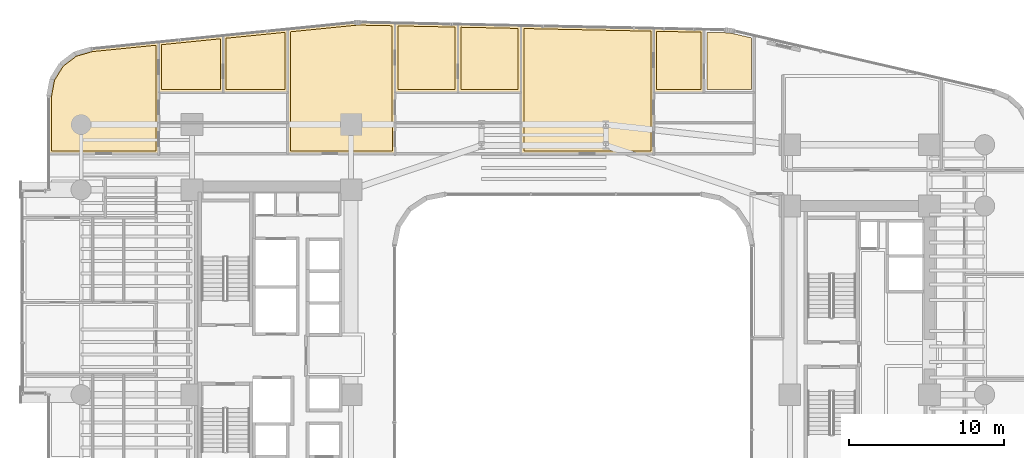
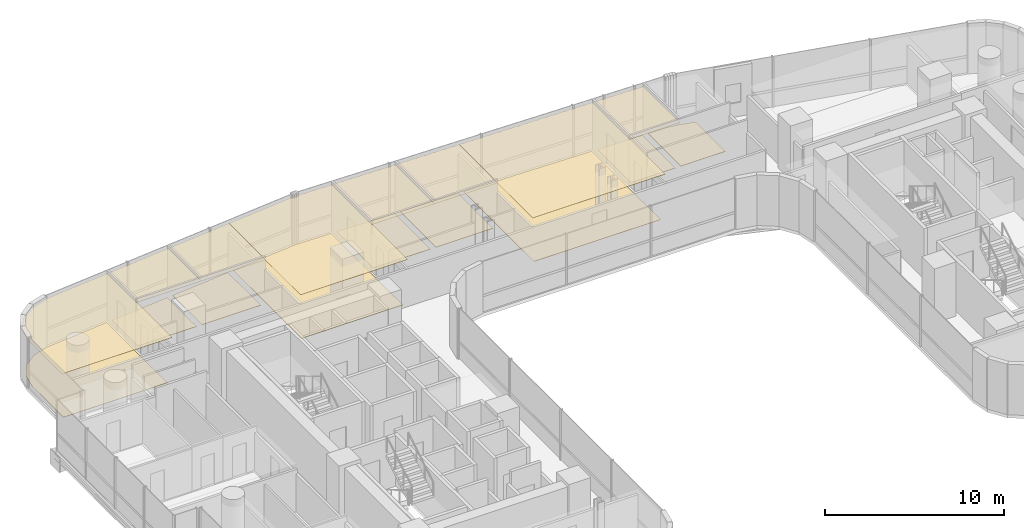
# One storey, part 39 of 40: 17 coverings.
"""IFC4 building model written with IfcOpenShell, lengths in metres."""

from ifc_helpers import new_model, si_unit, direction, frame, origin, place, context, subcontext, project, spatial, polyline, outline, extrude, material, layer, layer_set, type_object, element, save


model = new_model("IFC4")

# Units and contexts
model_context = context("Model", 3, precision=1e-05, world=origin(), true_north=direction((0.0, 1.0)))
body_context = subcontext(model_context, "Body", "Model", "MODEL_VIEW")
ifc_project = project(units=[si_unit("LENGTHUNIT", "METRE"), si_unit("AREAUNIT", "SQUARE_METRE"), si_unit("VOLUMEUNIT", "CUBIC_METRE"), si_unit("PLANEANGLEUNIT", "RADIAN"), si_unit("MASSUNIT", "GRAM", prefix="KILO")], contexts=[model_context])

# Site, building, storey
site_placement = place(None, origin())
site = spatial("IfcSite", under=ifc_project, at=site_placement, CompositionType="ELEMENT")
building_placement = place(site_placement, origin())
building = spatial("IfcBuilding", under=site, at=building_placement, Name="Valdorenza Pilgrim Sanctuary Tower", CompositionType="ELEMENT")
storey_placement = place(building_placement, frame((0.0, 0.0, 44.5)))
storey = spatial("IfcBuildingStorey", under=building, at=storey_placement, Name="L10", CompositionType="ELEMENT", Elevation=44.5)

# Coverings
ifc_material_1 = material(Name="Micro-perforated acoustic mineral ceiling tile", Category="gypsum")
ifc_layer_1 = layer(ifc_material_1, 0.02490234375, Name="Micro-perforated acoustic mineral ceiling tile")
ifc_layer_set_1 = layer_set([ifc_layer_1], Name="Micro-perforated acoustic mineral ceiling tile")
covering_type_1 = type_object("IfcCoveringType", Name="COV-CLG-ACU", PredefinedType="CEILING", material=ifc_layer_set_1)
covering_1_placement = place(storey_placement, frame((0.0, 0.0, 3.159912109375)))
element("IfcCovering", 1, at=covering_1_placement, inside=storey, type_object=covering_type_1, Name="L10 North Family Flat L10-N1 Bedroom 1 Acoustic Ceiling", PredefinedType="CEILING", context=body_context, shape_type="SweptSolid", body=[
    extrude(outline(polyline([(-24.802734375, 16.85498046875), (-24.80419921875, 16.85498046875), (-24.8056640625, 16.855224609375), (-24.80712890625, 16.855712890625), (-24.80859375, 16.856201171875), (-24.809814453125, 16.856689453125), (-24.81103515625, 16.857421875), (-24.812255859375, 16.8583984375), (-24.8134765625, 16.859375), (-24.814453125, 16.860595703125), (-24.815185546875, 16.86181640625), (-24.81591796875, 16.86279296875), (-24.816650390625, 16.8642578125), (-24.817138671875, 16.865478515625), (-24.8173828125, 16.8671875), (-24.817626953125, 16.868408203125), (-24.81787109375, 16.8701171875), (-24.81787109375, 20.109130859375), (-24.817626953125, 20.110595703125), (-24.8173828125, 20.112060546875), (-24.817138671875, 20.113525390625), (-24.816650390625, 20.114990234375), (-24.81591796875, 20.1162109375), (-24.815185546875, 20.117431640625), (-24.814453125, 20.11865234375), (-24.8134765625, 20.119873046875), (-24.812255859375, 20.120849609375), (-24.81103515625, 20.12158203125), (-24.809814453125, 20.122314453125), (-24.80859375, 20.123046875), (-24.80712890625, 20.12353515625), (-24.8056640625, 20.123779296875), (-24.80419921875, 20.1240234375), (-20.644287109375, 20.5400390625), (-20.642822265625, 20.540283203125), (-20.641357421875, 20.5400390625), (-20.639892578125, 20.539794921875), (-20.638671875, 20.53955078125), (-20.63720703125, 20.5390625), (-20.6357421875, 20.538330078125), (-20.634521484375, 20.53759765625), (-20.63330078125, 20.536865234375), (-20.63232421875, 20.535888671875), (-20.63134765625, 20.53466796875), (-20.63037109375, 20.533447265625), (-20.629638671875, 20.5322265625), (-20.62890625, 20.531005859375), (-20.62841796875, 20.529541015625), (-20.628173828125, 20.528076171875), (-20.6279296875, 20.526611328125), (-20.6279296875, 20.525146484375), (-20.6279296875, 16.8701171875), (-20.6279296875, 16.868408203125), (-20.628173828125, 16.8671875), (-20.62841796875, 16.865478515625), (-20.62890625, 16.8642578125), (-20.629638671875, 16.86279296875), (-20.63037109375, 16.86181640625), (-20.63134765625, 16.860595703125), (-20.63232421875, 16.859375), (-20.63330078125, 16.8583984375), (-20.634521484375, 16.857421875), (-20.6357421875, 16.856689453125), (-20.63720703125, 16.856201171875), (-20.638427734375, 16.855712890625), (-20.639892578125, 16.855224609375), (-20.641357421875, 16.85498046875), (-20.642822265625, 16.85498046875), (-24.802734375, 16.85498046875)])), origin(), (0.0, 0.0, 1.0), 0.025146484375),
])
covering_2_placement = place(storey_placement, frame((0.0, 0.0, 3.159912109375)))
element("IfcCovering", 2, at=covering_2_placement, inside=storey, type_object=covering_type_1, Name="L10 North Family Flat L10-N1 Bedroom 2 Acoustic Ceiling", PredefinedType="CEILING", context=body_context, shape_type="SweptSolid", body=[
    extrude(outline(polyline([(-20.656005859375, 20.525146484375), (-20.656005859375, 20.526123046875), (-20.65576171875, 20.527587890625), (-20.655517578125, 20.529296875), (-20.655029296875, 20.530517578125), (-20.654296875, 20.531982421875), (-20.653564453125, 20.533447265625), (-20.652587890625, 20.53466796875), (-20.65185546875, 20.535888671875), (-20.650634765625, 20.536865234375), (-20.6494140625, 20.53759765625), (-20.648193359375, 20.53857421875), (-20.646728515625, 20.539306640625), (-20.6455078125, 20.539794921875), (-20.643798828125, 20.5400390625), (-20.642333984375, 20.540283203125), (-16.484619140625, 20.9560546875), (-16.48291015625, 20.956298828125), (-16.4814453125, 20.9560546875), (-16.47998046875, 20.955810546875), (-16.478759765625, 20.95556640625), (-16.477294921875, 20.955078125), (-16.475830078125, 20.954345703125), (-16.474609375, 20.95361328125), (-16.473388671875, 20.952880859375), (-16.472412109375, 20.951904296875), (-16.471435546875, 20.95068359375), (-16.470458984375, 20.949462890625), (-16.4697265625, 20.9482421875), (-16.468994140625, 20.947021484375), (-16.468505859375, 20.945556640625), (-16.46826171875, 20.944091796875), (-16.468017578125, 20.942626953125), (-16.468017578125, 20.941162109375), (-16.468017578125, 16.8701171875), (-16.468017578125, 16.868408203125), (-16.46826171875, 16.8671875), (-16.468505859375, 16.865478515625), (-16.468994140625, 16.8642578125), (-16.4697265625, 16.86279296875), (-16.470458984375, 16.86181640625), (-16.471435546875, 16.860595703125), (-16.472412109375, 16.859375), (-16.473388671875, 16.8583984375), (-16.474609375, 16.857421875), (-16.475830078125, 16.856689453125), (-16.477294921875, 16.856201171875), (-16.478515625, 16.855712890625), (-16.47998046875, 16.855224609375), (-16.4814453125, 16.85498046875), (-16.48291015625, 16.85498046875), (-20.640869140625, 16.85498046875), (-20.642333984375, 16.85498046875), (-20.643798828125, 16.855224609375), (-20.645263671875, 16.855712890625), (-20.646484375, 16.856201171875), (-20.64794921875, 16.856689453125), (-20.649169921875, 16.857421875), (-20.650390625, 16.8583984375), (-20.651611328125, 16.859375), (-20.652587890625, 16.860595703125), (-20.6533203125, 16.86181640625), (-20.654052734375, 16.86279296875), (-20.65478515625, 16.8642578125), (-20.6552734375, 16.865478515625), (-20.655517578125, 16.8671875), (-20.65576171875, 16.868408203125), (-20.656005859375, 16.8701171875), (-20.656005859375, 20.525146484375), (-20.656005859375, 20.525146484375)])), origin(), (0.0, 0.0, 1.0), 0.025146484375),
])
covering_3_placement = place(storey_placement, frame((0.0, 0.0, 3.159912109375)))
element("IfcCovering", 3, at=covering_3_placement, inside=storey, type_object=covering_type_1, Name="L10 North Family Flat L10-N1 Living Room Acoustic Ceiling", PredefinedType="CEILING", context=body_context, shape_type="SweptSolid", body=[
    extrude(outline(polyline([(-31.889892578125, 12.905029296875), (-31.8916015625, 12.905029296875), (-31.892822265625, 12.9052734375), (-31.894287109375, 12.905517578125), (-31.895751953125, 12.906005859375), (-31.897216796875, 12.90673828125), (-31.898193359375, 12.907470703125), (-31.8994140625, 12.908447265625), (-31.900634765625, 12.909423828125), (-31.901611328125, 12.910400390625), (-31.902587890625, 12.91162109375), (-31.9033203125, 12.912841796875), (-31.90380859375, 12.914306640625), (-31.904296875, 12.91552734375), (-31.90478515625, 12.9169921875), (-31.90478515625, 12.91845703125), (-31.905029296875, 12.919921875), (-31.905029296875, 16.593994140625), (-31.90478515625, 16.59521484375), (-31.90478515625, 16.5966796875), (-31.6962890625, 17.717041015625), (-31.696044921875, 17.718505859375), (-31.695556640625, 17.7197265625), (-31.695068359375, 17.720947265625), (-31.6943359375, 17.72216796875), (-31.102294921875, 18.68408203125), (-31.1015625, 18.685302734375), (-31.100830078125, 18.686279296875), (-31.099853515625, 18.687255859375), (-31.0986328125, 18.688232421875), (-30.20068359375, 19.372802734375), (-30.199462890625, 19.37353515625), (-30.1982421875, 19.374267578125), (-30.197021484375, 19.374755859375), (-30.19580078125, 19.375244140625), (-29.1015625, 19.694091796875), (-29.10009765625, 19.694580078125), (-29.098876953125, 19.694580078125), (-24.806396484375, 20.123779296875), (-24.8046875, 20.1240234375), (-24.80322265625, 20.123779296875), (-24.802001953125, 20.123779296875), (-24.800537109375, 20.123291015625), (-24.799072265625, 20.122802734375), (-24.797607421875, 20.122314453125), (-24.79638671875, 20.12158203125), (-24.79541015625, 20.12060546875), (-24.794189453125, 20.11962890625), (-24.793212890625, 20.118408203125), (-24.792236328125, 20.1171875), (-24.79150390625, 20.1162109375), (-24.791015625, 20.11474609375), (-24.790283203125, 20.11328125), (-24.7900390625, 20.11181640625), (-24.789794921875, 20.110595703125), (-24.789794921875, 20.10888671875), (-24.789794921875, 16.87548828125), (-24.78955078125, 16.875), (-24.788818359375, 16.87353515625), (-24.788330078125, 16.872314453125), (-24.7880859375, 16.870849609375), (-24.787841796875, 16.869384765625), (-24.787841796875, 16.867919921875), (-24.787841796875, 12.919921875), (-24.787841796875, 12.91845703125), (-24.7880859375, 12.9169921875), (-24.788330078125, 12.91552734375), (-24.788818359375, 12.914306640625), (-24.78955078125, 12.912841796875), (-24.790283203125, 12.91162109375), (-24.791259765625, 12.910400390625), (-24.792236328125, 12.909423828125), (-24.793212890625, 12.908447265625), (-24.79443359375, 12.907470703125), (-24.795654296875, 12.90673828125), (-24.797119140625, 12.906005859375), (-24.79833984375, 12.905517578125), (-24.7998046875, 12.9052734375), (-24.80126953125, 12.905029296875), (-24.802734375, 12.905029296875), (-31.889892578125, 12.905029296875)])), origin(), (0.0, 0.0, 1.0), 0.025146484375),
])
covering_4_placement = place(storey_placement, frame((0.0, 0.0, 3.159912109375)))
element("IfcCovering", 4, at=covering_4_placement, inside=storey, type_object=covering_type_1, Name="L10 North Family Flat L10-N2 Bedroom 1 Acoustic Ceiling", PredefinedType="CEILING", context=body_context, shape_type="SweptSolid", body=[
    extrude(outline(polyline([(-9.57568359375, 16.85498046875), (-9.5771484375, 16.85498046875), (-9.57861328125, 16.855224609375), (-9.580078125, 16.855712890625), (-9.581298828125, 16.856201171875), (-9.582763671875, 16.856689453125), (-9.583984375, 16.857421875), (-9.585205078125, 16.8583984375), (-9.586181640625, 16.859375), (-9.587158203125, 16.860595703125), (-9.588134765625, 16.86181640625), (-9.5888671875, 16.86279296875), (-9.589599609375, 16.8642578125), (-9.590087890625, 16.865478515625), (-9.59033203125, 16.8671875), (-9.590576171875, 16.868408203125), (-9.590576171875, 16.8701171875), (-9.590576171875, 21.339599609375), (-9.590576171875, 21.341064453125), (-9.59033203125, 21.342529296875), (-9.58984375, 21.343994140625), (-9.58935546875, 21.34521484375), (-9.5888671875, 21.3466796875), (-9.587890625, 21.347900390625), (-9.587158203125, 21.34912109375), (-9.586181640625, 21.35009765625), (-9.5849609375, 21.351318359375), (-9.583740234375, 21.35205078125), (-9.58251953125, 21.352783203125), (-9.5810546875, 21.353515625), (-9.57958984375, 21.35400390625), (-9.578369140625, 21.354248046875), (-9.576904296875, 21.3544921875), (-9.5751953125, 21.3544921875), (-5.52099609375, 21.27001953125), (-5.51953125, 21.27001953125), (-5.51806640625, 21.269775390625), (-5.5166015625, 21.269287109375), (-5.515380859375, 21.268798828125), (-5.513916015625, 21.26806640625), (-5.5126953125, 21.267333984375), (-5.51171875, 21.2666015625), (-5.510498046875, 21.265380859375), (-5.509521484375, 21.264404296875), (-5.5087890625, 21.26318359375), (-5.508056640625, 21.261962890625), (-5.50732421875, 21.2607421875), (-5.5068359375, 21.25927734375), (-5.506591796875, 21.2578125), (-5.50634765625, 21.256591796875), (-5.50634765625, 21.2548828125), (-5.50634765625, 16.8701171875), (-5.50634765625, 16.868408203125), (-5.506591796875, 16.8671875), (-5.5068359375, 16.865478515625), (-5.50732421875, 16.8642578125), (-5.508056640625, 16.86279296875), (-5.5087890625, 16.86181640625), (-5.509765625, 16.860595703125), (-5.5107421875, 16.859375), (-5.51171875, 16.8583984375), (-5.512939453125, 16.857421875), (-5.51416015625, 16.856689453125), (-5.515625, 16.856201171875), (-5.516845703125, 16.855712890625), (-5.518310546875, 16.855224609375), (-5.519775390625, 16.85498046875), (-5.521240234375, 16.85498046875), (-9.57568359375, 16.85498046875)])), origin(), (0.0, 0.0, 1.0), 0.025146484375),
])
covering_5_placement = place(storey_placement, frame((0.0, 0.0, 3.159912109375)))
element("IfcCovering", 5, at=covering_5_placement, inside=storey, type_object=covering_type_1, Name="L10 North Family Flat L10-N2 Bedroom 2 Acoustic Ceiling", PredefinedType="CEILING", context=body_context, shape_type="SweptSolid", body=[
    extrude(outline(polyline([(-5.519287109375, 16.85498046875), (-5.520751953125, 16.85498046875), (-5.522216796875, 16.855224609375), (-5.523681640625, 16.855712890625), (-5.52490234375, 16.856201171875), (-5.5263671875, 16.856689453125), (-5.527587890625, 16.857421875), (-5.52880859375, 16.8583984375), (-5.52978515625, 16.859375), (-5.531005859375, 16.860595703125), (-5.53173828125, 16.86181640625), (-5.532470703125, 16.86279296875), (-5.533203125, 16.8642578125), (-5.53369140625, 16.865478515625), (-5.533935546875, 16.8671875), (-5.5341796875, 16.868408203125), (-5.5341796875, 16.8701171875), (-5.5341796875, 21.2548828125), (-5.5341796875, 21.256591796875), (-5.533935546875, 21.2578125), (-5.53369140625, 21.259521484375), (-5.533203125, 21.2607421875), (-5.532470703125, 21.26220703125), (-5.53173828125, 21.263427734375), (-5.53076171875, 21.2646484375), (-5.52978515625, 21.265625), (-5.52880859375, 21.2666015625), (-5.527587890625, 21.267578125), (-5.526123046875, 21.268310546875), (-5.52490234375, 21.268798828125), (-5.5234375, 21.269287109375), (-5.52197265625, 21.269775390625), (-5.5205078125, 21.27001953125), (-5.51904296875, 21.27001953125), (-1.466796875, 21.185546875), (-1.465087890625, 21.185546875), (-1.4638671875, 21.185302734375), (-1.46240234375, 21.184814453125), (-1.4609375, 21.184326171875), (-1.459716796875, 21.18359375), (-1.45849609375, 21.182861328125), (-1.457275390625, 21.181884765625), (-1.456298828125, 21.18115234375), (-1.455322265625, 21.179931640625), (-1.45458984375, 21.1787109375), (-1.45361328125, 21.177490234375), (-1.453125, 21.17626953125), (-1.45263671875, 21.1748046875), (-1.452392578125, 21.17333984375), (-1.4521484375, 21.172119140625), (-1.451904296875, 21.170654296875), (-1.451904296875, 16.8701171875), (-1.4521484375, 16.868408203125), (-1.452392578125, 16.8671875), (-1.45263671875, 16.865478515625), (-1.453125, 16.8642578125), (-1.453857421875, 16.86279296875), (-1.45458984375, 16.86181640625), (-1.455322265625, 16.860595703125), (-1.456298828125, 16.859375), (-1.45751953125, 16.8583984375), (-1.458740234375, 16.857421875), (-1.4599609375, 16.856689453125), (-1.461181640625, 16.856201171875), (-1.462646484375, 16.855712890625), (-1.464111328125, 16.855224609375), (-1.465576171875, 16.85498046875), (-1.467041015625, 16.85498046875), (-5.519287109375, 16.85498046875)])), origin(), (0.0, 0.0, 1.0), 0.025146484375),
])
covering_6_placement = place(storey_placement, frame((0.0, 0.0, 3.159912109375)))
element("IfcCovering", 6, at=covering_6_placement, inside=storey, type_object=covering_type_1, Name="L10 North Family Flat L10-N2 Living Room Acoustic Ceiling", PredefinedType="CEILING", context=body_context, shape_type="SweptSolid", body=[
    extrude(outline(polyline([(-16.49609375, 14.918212890625), (-16.49609375, 14.9189453125), (-16.496337890625, 14.92041015625), (-16.49609375, 14.922119140625), (-16.49609375, 14.923583984375), (-16.49609375, 14.923828125), (-16.49609375, 16.8662109375), (-16.49609375, 16.866943359375), (-16.496337890625, 16.868408203125), (-16.49609375, 16.8701171875), (-16.49609375, 16.87158203125), (-16.49609375, 16.871826171875), (-16.49609375, 20.941162109375), (-16.49609375, 20.941162109375), (-16.49609375, 20.942138671875), (-16.495849609375, 20.943603515625), (-16.49560546875, 20.9453125), (-16.4951171875, 20.946533203125), (-16.494384765625, 20.947998046875), (-16.49365234375, 20.94921875), (-16.492919921875, 20.95068359375), (-16.491943359375, 20.95166015625), (-16.49072265625, 20.952880859375), (-16.489501953125, 20.95361328125), (-16.48828125, 20.95458984375), (-16.48681640625, 20.955078125), (-16.485595703125, 20.955810546875), (-16.48388671875, 20.9560546875), (-16.482421875, 20.956298828125), (-12.18359375, 21.38623046875), (-12.183349609375, 21.38623046875), (-12.089599609375, 21.39404296875), (-12.089111328125, 21.39404296875), (-11.996337890625, 21.399169921875), (-11.995849609375, 21.3994140625), (-11.902587890625, 21.401611328125), (-11.90234375, 21.401611328125), (-11.808349609375, 21.40087890625), (-11.80810546875, 21.40087890625), (-9.577392578125, 21.3544921875), (-9.57568359375, 21.3544921875), (-9.574462890625, 21.354248046875), (-9.572998046875, 21.353759765625), (-9.571533203125, 21.353271484375), (-9.5703125, 21.352783203125), (-9.569091796875, 21.351806640625), (-9.56787109375, 21.35107421875), (-9.56689453125, 21.35009765625), (-9.56591796875, 21.348876953125), (-9.565185546875, 21.347900390625), (-9.564208984375, 21.346435546875), (-9.563720703125, 21.34521484375), (-9.563232421875, 21.34375), (-9.56298828125, 21.34228515625), (-9.562744140625, 21.341064453125), (-9.5625, 21.339599609375), (-9.5625, 16.87548828125), (-9.562255859375, 16.875), (-9.561767578125, 16.87353515625), (-9.561279296875, 16.872314453125), (-9.560791015625, 16.870849609375), (-9.560791015625, 16.869384765625), (-9.560546875, 16.867919921875), (-9.560546875, 12.919921875), (-9.560791015625, 12.91845703125), (-9.560791015625, 12.9169921875), (-9.561279296875, 12.91552734375), (-9.561767578125, 12.914306640625), (-9.5625, 12.912841796875), (-9.56298828125, 12.91162109375), (-9.56396484375, 12.910400390625), (-9.56494140625, 12.909423828125), (-9.566162109375, 12.908447265625), (-9.5673828125, 12.907470703125), (-9.568603515625, 12.90673828125), (-9.56982421875, 12.906005859375), (-9.5712890625, 12.905517578125), (-9.57275390625, 12.9052734375), (-9.57421875, 12.905029296875), (-9.57568359375, 12.905029296875), (-16.48095703125, 12.905029296875), (-16.482421875, 12.905029296875), (-16.48388671875, 12.9052734375), (-16.4853515625, 12.905517578125), (-16.48681640625, 12.906005859375), (-16.488037109375, 12.90673828125), (-16.4892578125, 12.907470703125), (-16.490478515625, 12.908447265625), (-16.49169921875, 12.909423828125), (-16.49267578125, 12.910400390625), (-16.493408203125, 12.91162109375), (-16.494140625, 12.912841796875), (-16.494873046875, 12.914306640625), (-16.495361328125, 12.91552734375), (-16.49560546875, 12.9169921875), (-16.495849609375, 12.91845703125), (-16.49609375, 12.919921875), (-16.49609375, 14.918212890625)])), origin(), (0.0, 0.0, 1.0), 0.025146484375),
])
covering_7_placement = place(storey_placement, frame((0.0, 0.0, 3.159912109375)))
element("IfcCovering", 7, at=covering_7_placement, inside=storey, type_object=covering_type_1, Name="L10 North Family Flat L10-N3 Bedroom 1 Acoustic Ceiling", PredefinedType="CEILING", context=body_context, shape_type="SweptSolid", body=[
    extrude(outline(polyline([(7.0908203125, 16.85498046875), (7.08935546875, 16.85498046875), (7.087890625, 16.855224609375), (7.08642578125, 16.855712890625), (7.085205078125, 16.856201171875), (7.083740234375, 16.856689453125), (7.08251953125, 16.857421875), (7.081298828125, 16.8583984375), (7.080078125, 16.859375), (7.0791015625, 16.860595703125), (7.078369140625, 16.86181640625), (7.07763671875, 16.86279296875), (7.076904296875, 16.8642578125), (7.076416015625, 16.865478515625), (7.076171875, 16.8671875), (7.075927734375, 16.868408203125), (7.07568359375, 16.8701171875), (7.07568359375, 20.9921875), (7.075927734375, 20.993896484375), (7.076171875, 20.9951171875), (7.076416015625, 20.99658203125), (7.076904296875, 20.998046875), (7.07763671875, 20.99951171875), (7.078369140625, 21.000732421875), (7.079345703125, 21.001953125), (7.080322265625, 21.0029296875), (7.081298828125, 21.00390625), (7.08251953125, 21.0048828125), (7.083984375, 21.005615234375), (7.085205078125, 21.006103515625), (7.086669921875, 21.006591796875), (7.088134765625, 21.007080078125), (7.089599609375, 21.007080078125), (7.091064453125, 21.00732421875), (10.32080078125, 20.93994140625), (10.322265625, 20.93994140625), (10.323486328125, 20.939697265625), (10.324951171875, 20.939208984375), (10.326416015625, 20.938720703125), (10.32763671875, 20.93798828125), (10.328857421875, 20.937255859375), (10.330078125, 20.9365234375), (10.3310546875, 20.935546875), (10.33203125, 20.934326171875), (10.3330078125, 20.93310546875), (10.333740234375, 20.931884765625), (10.334228515625, 20.9306640625), (10.334716796875, 20.92919921875), (10.335205078125, 20.927978515625), (10.335205078125, 20.926513671875), (10.33544921875, 20.925048828125), (10.33544921875, 16.8701171875), (10.335205078125, 16.868408203125), (10.335205078125, 16.8671875), (10.334716796875, 16.865478515625), (10.334228515625, 16.8642578125), (10.33349609375, 16.86279296875), (10.3330078125, 16.86181640625), (10.33203125, 16.860595703125), (10.3310546875, 16.859375), (10.329833984375, 16.8583984375), (10.32861328125, 16.857421875), (10.327392578125, 16.856689453125), (10.326171875, 16.856201171875), (10.32470703125, 16.855712890625), (10.3232421875, 16.855224609375), (10.322021484375, 16.85498046875), (10.3203125, 16.85498046875), (7.0908203125, 16.85498046875)])), origin(), (0.0, 0.0, 1.0), 0.025146484375),
])
covering_8_placement = place(storey_placement, frame((0.0, 0.0, 3.159912109375)))
element("IfcCovering", 8, at=covering_8_placement, inside=storey, type_object=covering_type_1, Name="L10 North Family Flat L10-N3 Living Room Acoustic Ceiling", PredefinedType="CEILING", context=body_context, shape_type="SweptSolid", body=[
    extrude(outline(polyline([(-1.47998046875, 14.918212890625), (-1.47998046875, 14.9189453125), (-1.480224609375, 14.92041015625), (-1.480224609375, 14.922119140625), (-1.47998046875, 14.923583984375), (-1.47998046875, 14.923828125), (-1.47998046875, 16.8662109375), (-1.47998046875, 16.866943359375), (-1.480224609375, 16.868408203125), (-1.480224609375, 16.8701171875), (-1.47998046875, 16.87158203125), (-1.47998046875, 16.871826171875), (-1.47998046875, 21.17041015625), (-1.47998046875, 21.172119140625), (-1.479736328125, 21.173583984375), (-1.479248046875, 21.1748046875), (-1.478759765625, 21.17626953125), (-1.478271484375, 21.177734375), (-1.477294921875, 21.178955078125), (-1.4765625, 21.18017578125), (-1.4755859375, 21.18115234375), (-1.474365234375, 21.18212890625), (-1.47314453125, 21.18310546875), (-1.471923828125, 21.183837890625), (-1.470458984375, 21.1845703125), (-1.468994140625, 21.184814453125), (-1.4677734375, 21.185302734375), (-1.46630859375, 21.185546875), (-1.464599609375, 21.185546875), (7.089111328125, 21.00732421875), (7.090576171875, 21.007080078125), (7.092041015625, 21.007080078125), (7.093505859375, 21.006591796875), (7.0947265625, 21.006103515625), (7.09619140625, 21.00537109375), (7.097412109375, 21.004638671875), (7.098388671875, 21.00390625), (7.099609375, 21.002685546875), (7.1005859375, 21.001708984375), (7.101318359375, 21.00048828125), (7.10205078125, 20.999267578125), (7.102783203125, 20.998046875), (7.103271484375, 20.99658203125), (7.103515625, 20.9951171875), (7.103759765625, 20.993896484375), (7.103759765625, 20.9921875), (7.103759765625, 16.87548828125), (7.10400390625, 16.875), (7.104736328125, 16.87353515625), (7.105224609375, 16.872314453125), (7.10546875, 16.870849609375), (7.105712890625, 16.869384765625), (7.105712890625, 16.867919921875), (7.105712890625, 12.919921875), (7.105712890625, 12.91845703125), (7.10546875, 12.9169921875), (7.105224609375, 12.91552734375), (7.104736328125, 12.914306640625), (7.10400390625, 12.912841796875), (7.103271484375, 12.91162109375), (7.102294921875, 12.910400390625), (7.101318359375, 12.909423828125), (7.100341796875, 12.908447265625), (7.09912109375, 12.907470703125), (7.097900390625, 12.90673828125), (7.096435546875, 12.906005859375), (7.09521484375, 12.905517578125), (7.09375, 12.9052734375), (7.09228515625, 12.905029296875), (7.0908203125, 12.905029296875), (-1.465087890625, 12.905029296875), (-1.466552734375, 12.905029296875), (-1.468017578125, 12.9052734375), (-1.469482421875, 12.905517578125), (-1.470703125, 12.906005859375), (-1.47216796875, 12.90673828125), (-1.473388671875, 12.907470703125), (-1.474609375, 12.908447265625), (-1.4755859375, 12.909423828125), (-1.4765625, 12.910400390625), (-1.4775390625, 12.91162109375), (-1.478271484375, 12.912841796875), (-1.47900390625, 12.914306640625), (-1.4794921875, 12.91552734375), (-1.479736328125, 12.9169921875), (-1.47998046875, 12.91845703125), (-1.47998046875, 12.919921875), (-1.47998046875, 14.918212890625)])), origin(), (0.0, 0.0, 1.0), 0.025146484375),
])
ifc_material_2 = material(Name="Engineered European oak timber flooring", Category="wood")
ifc_layer_2 = layer(ifc_material_2, 0.02197265625, Name="Engineered European oak timber flooring")
ifc_layer_set_2 = layer_set([ifc_layer_2], Name="Engineered European oak timber flooring")
covering_type_2 = type_object("IfcCoveringType", Name="COV-FLR-OAK", PredefinedType="FLOORING", material=ifc_layer_set_2)
covering_9_placement = place(storey_placement, origin())
element("IfcCovering", 9, at=covering_9_placement, inside=storey, type_object=covering_type_2, Name="L10 North Family Flat L10-N1 Bedroom 1 Flooring", PredefinedType="FLOORING", context=body_context, shape_type="SweptSolid", body=[
    extrude(outline(polyline([(-24.622802734375, 17.050048828125), (-24.622802734375, 19.9462890625), (-20.822998046875, 20.326416015625), (-20.822998046875, 17.050048828125), (-24.622802734375, 17.050048828125)])), origin(), (0.0, 0.0, 1.0), 0.02490234375),
])
covering_10_placement = place(storey_placement, origin())
element("IfcCovering", 10, at=covering_10_placement, inside=storey, type_object=covering_type_2, Name="L10 North Family Flat L10-N1 Bedroom 2 Flooring", PredefinedType="FLOORING", context=body_context, shape_type="SweptSolid", body=[
    extrude(outline(polyline([(-20.4609375, 17.050048828125), (-20.4609375, 20.3623046875), (-16.6630859375, 20.7421875), (-16.6630859375, 17.050048828125), (-20.4609375, 17.050048828125)])), origin(), (0.0, 0.0, 1.0), 0.02490234375),
])
covering_11_placement = place(storey_placement, origin())
element("IfcCovering", 11, at=covering_11_placement, inside=storey, type_object=covering_type_2, Name="L10 North Family Flat L10-N1 Living Room Flooring", PredefinedType="FLOORING", context=body_context, shape_type="SweptSolid", body=[
    extrude(outline(polyline([(-31.7099609375, 13.10009765625), (-31.7099609375, 16.577392578125), (-31.5107421875, 17.6484375), (-30.953857421875, 18.553466796875), (-30.109130859375, 19.197509765625), (-29.06298828125, 19.502197265625), (-24.98486328125, 19.91015625), (-24.98486328125, 16.8701171875), (-24.98291015625, 13.10009765625), (-31.7099609375, 13.10009765625)])), origin(), (0.0, 0.0, 1.0), 0.02490234375),
])
covering_12_placement = place(storey_placement, origin())
element("IfcCovering", 12, at=covering_12_placement, inside=storey, type_object=covering_type_2, Name="L10 North Family Flat L10-N2 Bedroom 1 Flooring", PredefinedType="FLOORING", context=body_context, shape_type="SweptSolid", body=[
    extrude(outline(polyline([(-9.3955078125, 17.050048828125), (-9.3955078125, 21.15576171875), (-5.701416015625, 21.07861328125), (-5.701416015625, 17.050048828125), (-9.3955078125, 17.050048828125)])), origin(), (0.0, 0.0, 1.0), 0.02490234375),
])
covering_13_placement = place(storey_placement, origin())
element("IfcCovering", 13, at=covering_13_placement, inside=storey, type_object=covering_type_2, Name="L10 North Family Flat L10-N2 Bedroom 2 Flooring", PredefinedType="FLOORING", context=body_context, shape_type="SweptSolid", body=[
    extrude(outline(polyline([(-5.33935546875, 17.050048828125), (-5.33935546875, 21.0712890625), (-1.64697265625, 20.994384765625), (-1.64697265625, 17.050048828125), (-5.33935546875, 17.050048828125)])), origin(), (0.0, 0.0, 1.0), 0.02490234375),
])
covering_14_placement = place(storey_placement, origin())
element("IfcCovering", 14, at=covering_14_placement, inside=storey, type_object=covering_type_2, Name="L10 North Family Flat L10-N2 Living Room Flooring", PredefinedType="FLOORING", context=body_context, shape_type="SweptSolid", body=[
    extrude(outline(polyline([(-16.301025390625, 14.921630859375), (-16.301025390625, 14.922119140625), (-16.301025390625, 16.867919921875), (-16.301025390625, 16.868896484375), (-16.301025390625, 16.86962890625), (-16.301025390625, 16.8701171875), (-16.301025390625, 20.7783203125), (-12.16552734375, 21.19189453125), (-12.07568359375, 21.19970703125), (-11.98828125, 21.204345703125), (-11.900634765625, 21.20654296875), (-11.810791015625, 21.2060546875), (-9.757568359375, 21.1630859375), (-9.757568359375, 16.8701171875), (-9.755615234375, 13.10009765625), (-16.301025390625, 13.10009765625), (-16.301025390625, 14.919921875), (-16.301025390625, 14.9208984375), (-16.301025390625, 14.921630859375)])), origin(), (0.0, 0.0, 1.0), 0.02490234375),
])
covering_15_placement = place(storey_placement, origin())
element("IfcCovering", 15, at=covering_15_placement, inside=storey, type_object=covering_type_2, Name="L10 North Family Flat L10-N3 Bedroom 1 Flooring", PredefinedType="FLOORING", context=body_context, shape_type="SweptSolid", body=[
    extrude(outline(polyline([(7.270751953125, 17.050048828125), (7.270751953125, 20.80859375), (10.140380859375, 20.748779296875), (10.140380859375, 17.050048828125), (7.270751953125, 17.050048828125)])), origin(), (0.0, 0.0, 1.0), 0.02490234375),
])
covering_16_placement = place(storey_placement, origin())
element("IfcCovering", 16, at=covering_16_placement, inside=storey, type_object=covering_type_2, Name="L10 North Family Flat L10-N3 Bedroom 2 Flooring", PredefinedType="FLOORING", context=body_context, shape_type="SweptSolid", body=[
    extrude(outline(polyline([(10.50244140625, 17.050048828125), (10.50244140625, 20.7412109375), (11.65966796875, 20.717041015625), (11.81298828125, 20.7099609375), (11.962158203125, 20.6953125), (12.110107421875, 20.6728515625), (12.2607421875, 20.64208984375), (13.3701171875, 20.38623046875), (13.3701171875, 17.050048828125), (10.50244140625, 17.050048828125)])), origin(), (0.0, 0.0, 1.0), 0.02490234375),
])
covering_17_placement = place(storey_placement, origin())
element("IfcCovering", 17, at=covering_17_placement, inside=storey, type_object=covering_type_2, Name="L10 North Family Flat L10-N3 Living Room Flooring", PredefinedType="FLOORING", context=body_context, shape_type="SweptSolid", body=[
    extrude(outline(polyline([(-1.284912109375, 14.921630859375), (-1.284912109375, 14.922119140625), (-1.284912109375, 16.867919921875), (-1.284912109375, 16.868896484375), (-1.284912109375, 16.86962890625), (-1.284912109375, 16.8701171875), (-1.284912109375, 20.98681640625), (6.90869140625, 20.81591796875), (6.90869140625, 16.8701171875), (6.91064453125, 13.10009765625), (-1.284912109375, 13.10009765625), (-1.284912109375, 14.919921875), (-1.284912109375, 14.9208984375), (-1.284912109375, 14.921630859375)])), origin(), (0.0, 0.0, 1.0), 0.02490234375),
])

save(model, "model.ifc")
